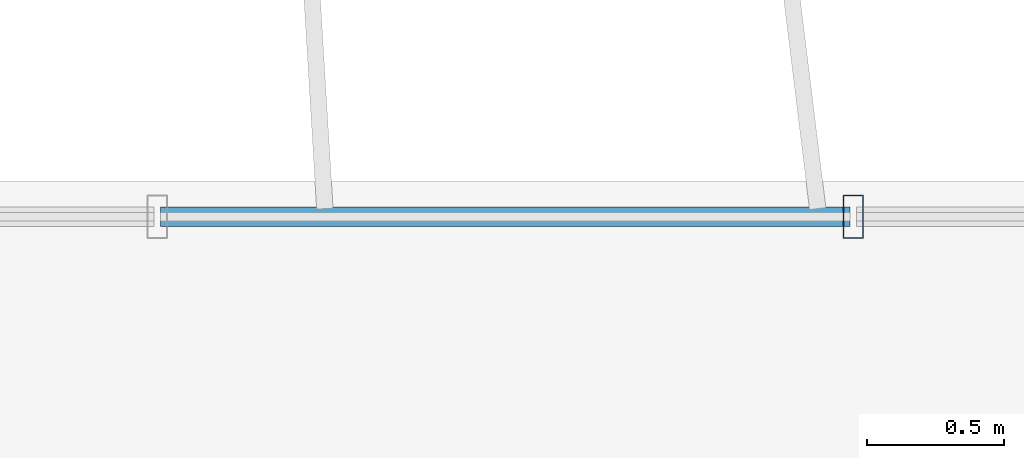
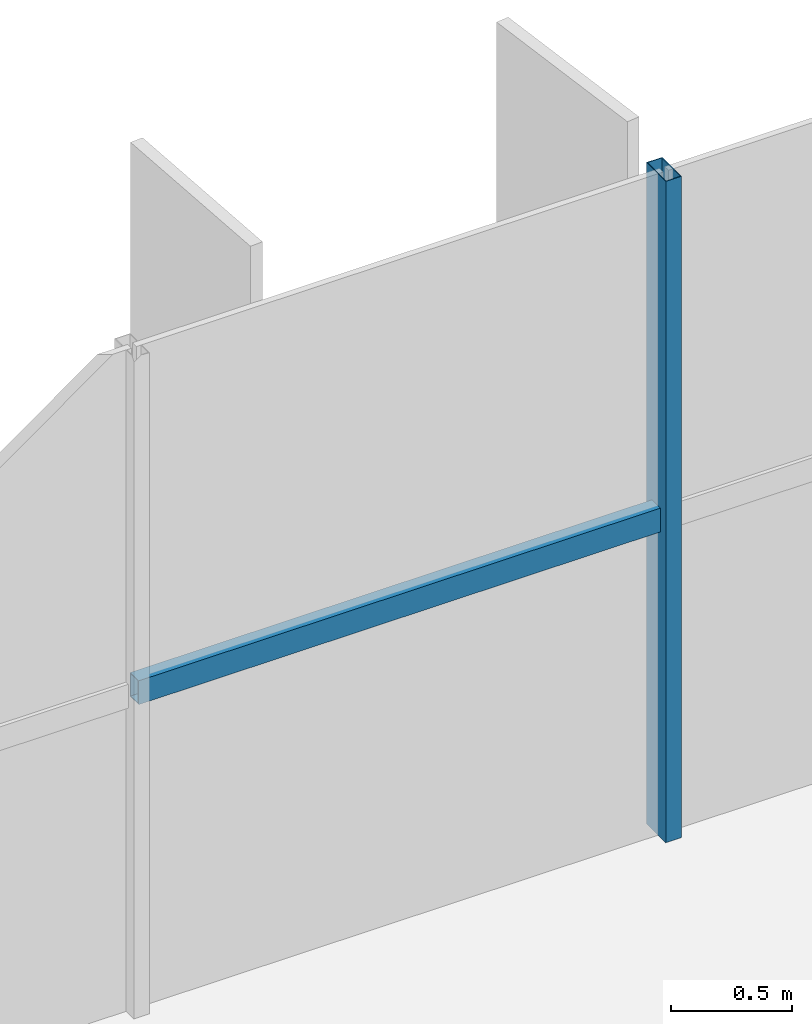
# One storey, part 8 of 21: 2 members, 1 element without a shape of its own.
"""IFC4 building model written with IfcOpenShell, lengths in metres."""

from ifc_helpers import new_model, si_unit, direction, frame, origin, origin_2d, place, context, subcontext, project, spatial, hollow_rectangle, extrude, source, transform, mapped, material, material_profile, profile_set, type_object, element, aggregate, save


model = new_model("IFC4")

# Units and contexts
model_context = context("Model", 3, precision=1e-05, world=origin(), true_north=direction((0.0, 1.0)))
body_context = subcontext(model_context, "Body", "Model", "MODEL_VIEW")
ifc_project = project(units=[si_unit("LENGTHUNIT", "METRE"), si_unit("AREAUNIT", "SQUARE_METRE"), si_unit("VOLUMEUNIT", "CUBIC_METRE"), si_unit("PLANEANGLEUNIT", "RADIAN"), si_unit("MASSUNIT", "GRAM", prefix="KILO")], contexts=[model_context])

# Site, building, storey
site_placement = place(None, origin())
site = spatial("IfcSite", under=ifc_project, at=site_placement, CompositionType="ELEMENT")
building_placement = place(site_placement, origin())
building = spatial("IfcBuilding", under=site, at=building_placement, Name="Trelvane Seafront Commons", CompositionType="ELEMENT")
storey_placement = place(building_placement, frame((0.0, 0.0, 34.300048828125)))
storey = spatial("IfcBuildingStorey", under=building, at=storey_placement, Name="L08", CompositionType="ELEMENT", Elevation=34.300048828125)

# Curtain wall, members
ifc_material = material(Name="Anodised pale-silver aluminium", Category="aluminium")
curtain_wall_type = type_object("IfcCurtainWallType", Name="ARCH-CW2-LOWTOWER", PredefinedType="NOTDEFINED", material=ifc_material)
curtain_wall_placement = place(storey_placement, origin())
curtain_wall = element("IfcCurtainWall", 1, at=curtain_wall_placement, inside=storey, type_object=curtain_wall_type, Name="CW-L08-0032", PredefinedType="NOTDEFINED")
ifc_material_profile_1 = material_profile(ifc_material, hollow_rectangle(XDim=0.070068359375, YDim=0.1201171875, WallThickness=0.00390625, at=origin_2d()), Name="TRAN-70x120x4")
ifc_profile_set_1 = profile_set([ifc_material_profile_1], Name="Anodised pale-silver aluminium")
member_type_1 = type_object("IfcMemberType", Name="ARCH-CW-TRAN-120", PredefinedType="USERDEFINED", material=ifc_profile_set_1)
shared_shape_1 = source(origin(), body_context, "Body", "SweptSolid", [
    extrude(hollow_rectangle(XDim=0.070068359375, YDim=0.1201171875, WallThickness=0.00390625, at=origin_2d()), origin(), (0.0, 0.0, 1.0), 2.517333984375),
])
member_1_placement = place(storey_placement, frame((33.400146484375, 48.3701171875, 1.60302734375), z_axis=(1.0, 0.0, 0.0), x_axis=(0.0, 1.0, 0.0)))
member_1 = element("IfcMember", 2, at=member_1_placement, type_object=member_type_1, Name="CW-L08-0032-T07", ObjectType="TRANSOM", PredefinedType="USERDEFINED", context=body_context, shape_type="MappedRepresentation", body=[
    mapped(shared_shape_1, transform((0.0, 0.0, 0.0), x_axis=(1.0, 0.0, 0.0), y_axis=(0.0, 1.0, 0.0), z_axis=(0.0, 0.0, 1.0), scale=1.0)),
])
ifc_material_profile_2 = material_profile(ifc_material, hollow_rectangle(XDim=0.074951171875, YDim=0.159912109375, WallThickness=0.00390625, at=origin_2d()), Name="MULL-75x160x4")
ifc_profile_set_2 = profile_set([ifc_material_profile_2], Name="Anodised pale-silver aluminium")
member_type_2 = type_object("IfcMemberType", Name="ARCH-CW-MULL-160", PredefinedType="MULLION", material=ifc_profile_set_2)
shared_shape_2 = source(origin(), body_context, "Body", "SweptSolid", [
    extrude(hollow_rectangle(XDim=0.074951171875, YDim=0.159912109375, WallThickness=0.00390625, at=origin_2d()), origin(), (0.0, 0.0, 1.0), 3.33984375),
])
member_2_placement = place(storey_placement, frame((35.929443359375, 48.3701171875, 0.0), z_axis=(0.0, 0.0, 1.0), x_axis=(1.0, 0.0, 0.0)))
member_2 = element("IfcMember", 3, at=member_2_placement, type_object=member_type_2, Name="CW-L08-0032-M08", PredefinedType="MULLION", context=body_context, shape_type="MappedRepresentation", body=[
    mapped(shared_shape_2, transform((0.0, 0.0, 0.0), x_axis=(1.0, 0.0, 0.0), y_axis=(0.0, 1.0, 0.0), z_axis=(0.0, 0.0, 1.0), scale=1.0)),
])
aggregate(curtain_wall, [member_2, member_1])

save(model, "model.ifc")
